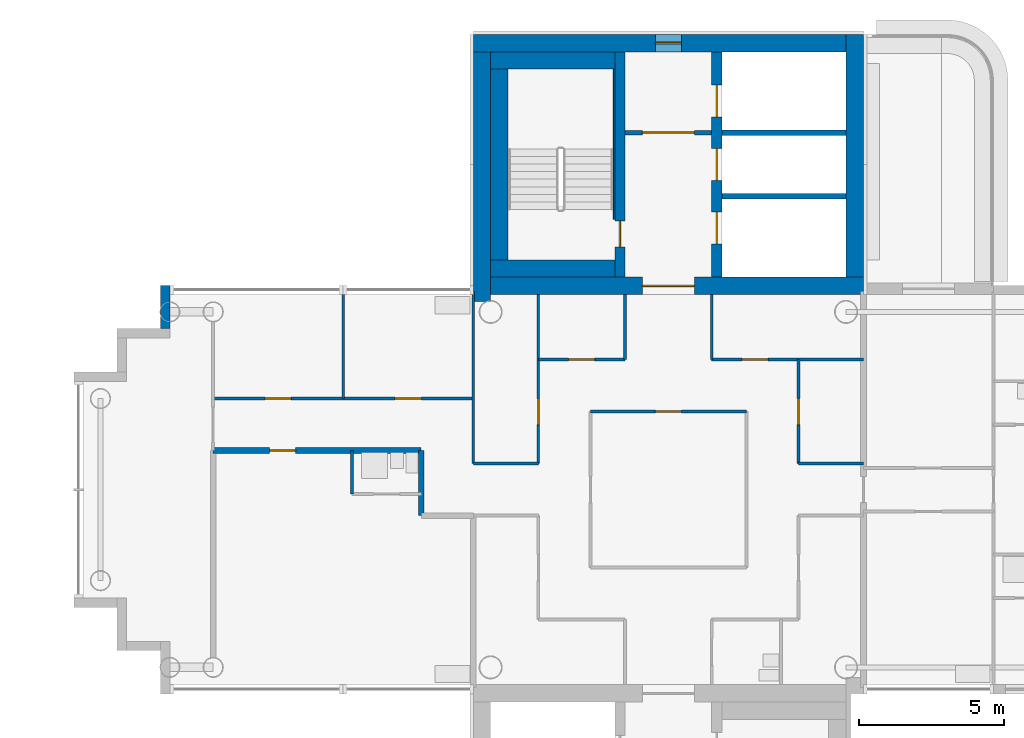
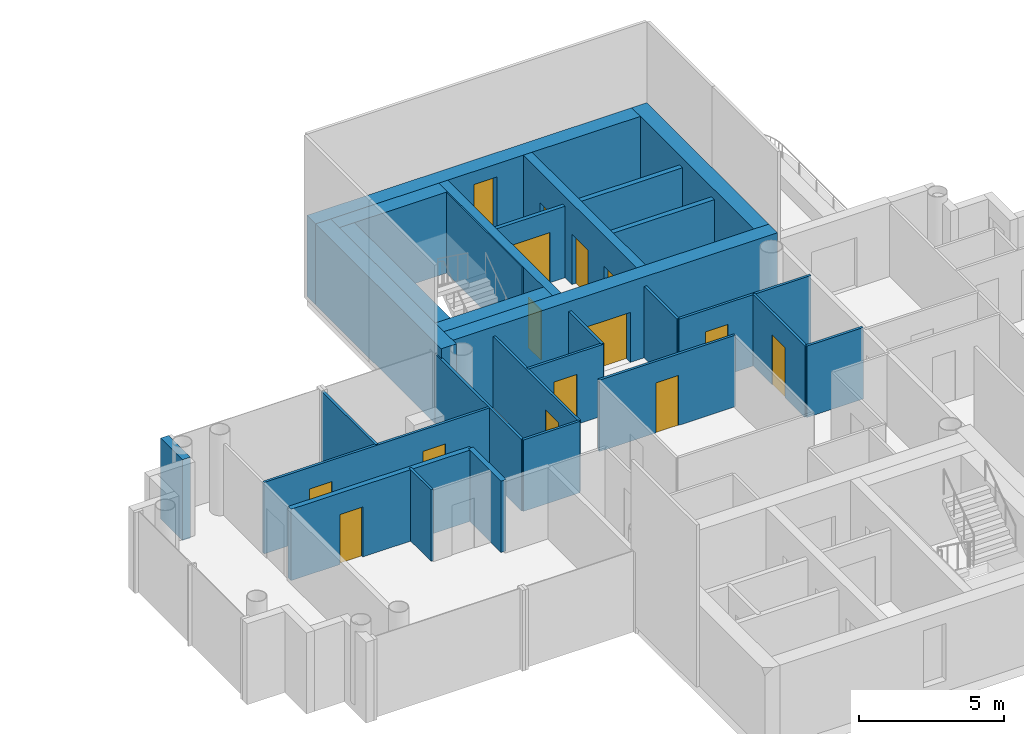
# One storey, part 10 of 18: 29 walls, 14 doors, 1 window, 15 openings.
"""IFC4 building model written with IfcOpenShell, lengths in metres."""

from ifc_helpers import new_model, si_unit, direction, frame, frame_2d, origin, place, context, subcontext, project, spatial, rectangle, extrude, material, layer, layer_set, type_object, element, fill, save


model = new_model("IFC4")

# Units and contexts
model_context = context("Model", 3, precision=1e-05, world=origin(), true_north=direction((0.0, 1.0)))
body_context = subcontext(model_context, "Body", "Model", "MODEL_VIEW")
ifc_project = project(units=[si_unit("LENGTHUNIT", "METRE"), si_unit("AREAUNIT", "SQUARE_METRE"), si_unit("VOLUMEUNIT", "CUBIC_METRE"), si_unit("PLANEANGLEUNIT", "RADIAN"), si_unit("MASSUNIT", "GRAM", prefix="KILO")], contexts=[model_context])

# Site, building, storey
site_placement = place(None, origin())
site = spatial("IfcSite", under=ifc_project, at=site_placement, CompositionType="ELEMENT")
building_placement = place(site_placement, origin())
building = spatial("IfcBuilding", under=site, at=building_placement, Name="Ipe Terrace Towers", CompositionType="ELEMENT")
storey_placement = place(building_placement, frame((0.0, 0.0, 192.60009765625)))
storey = spatial("IfcBuildingStorey", under=building, at=storey_placement, Name="L53", CompositionType="ELEMENT", Elevation=192.60009765625)

# Walls
ifc_material_1 = material(Name="Concrete C40/50 with buff precast cladding", Category="concrete")
ifc_layer_1 = layer(ifc_material_1, 0.320068359375)
ifc_layer_set_1 = layer_set([ifc_layer_1], Name="BUFF CLADDING WALL 320")
wall_type_1 = type_object("IfcWallType", Name="BUFF CLADDING WALL 320", PredefinedType="STANDARD", material=ifc_layer_set_1)
wall_1_placement = place(storey_placement, frame((18.590087890625, 7.070068359375, -0.300048828125), z_axis=(0.0, 0.0, 1.0), x_axis=(0.0, -1.0, 0.0)))
element("IfcWall", 1, at=wall_1_placement, inside=storey, type_object=wall_type_1, Name="T2-W-L53-22a wall", PredefinedType="STANDARD", context=body_context, shape_type="SweptSolid", body=[
    extrude(rectangle(XDim=1.5, YDim=0.320068359375, at=frame_2d((0.75, 0.0))), origin(), (0.0, 0.0, 1.0), 3.39990234375),
])
ifc_material_2 = material(Name="Gypsum board partition", Category="plasterboard")
ifc_layer_2 = layer(ifc_material_2, 0.10009765625)
ifc_layer_set_2 = layer_set([ifc_layer_2], Name="Gypsum board partition 100 mm")
wall_type_2 = type_object("IfcWallType", Name="Gypsum board partition 100 mm", PredefinedType="PARTITIONING", material=ifc_layer_set_2)
for number, where, z_axis, x_axis, name in (
    (2, (42.75, 0.89990234375, 0.0), (0.0, 0.0, 1.0), (-1.0, 0.0, 0.0), "Gypsum board partition T2 L53 W12"),
    (3, (31.5, 0.89990234375, 0.0), (0.0, 0.0, 1.0), (-1.0, 0.0, 0.0), "Gypsum board partition T2 L53 W13"),
):
    element("IfcWall", number, at=place(storey_placement, frame(where, z_axis=z_axis, x_axis=x_axis)), inside=storey, type_object=wall_type_2, Name=name, PredefinedType="PARTITIONING", context=body_context, shape_type="SweptSolid", body=[
        extrude(rectangle(XDim=2.25, YDim=0.10009765625, at=frame_2d((1.125, 0.0))), origin(), (0.0, 0.0, 1.0), 3.0),
    ])

# Wall, opening, door
wall_2_placement = place(storey_placement, frame((38.699951171875, 2.699951171875, 0.0), z_axis=(0.0, 0.0, 1.0), x_axis=(-1.0, 0.0, 0.0)))
wall_2 = element("IfcWall", 4, at=wall_2_placement, inside=storey, type_object=wall_type_2, Name="Gypsum board partition T2 L53 W16", PredefinedType="PARTITIONING", context=body_context, shape_type="SweptSolid", body=[
    extrude(rectangle(XDim=5.39990234375, YDim=0.10009765625, at=frame_2d((2.699951171875, 0.0))), origin(), (0.0, 0.0, 1.0), 3.0),
])
opening_1_placement = place(wall_2_placement, frame((2.25, 0.0, 0.0)))
opening_1 = element("IfcOpeningElement", 5, at=opening_1_placement, cuts=wall_2, Name="Opening T2-Z4C-02", PredefinedType="OPENING", context=body_context, shape_type="SweptSolid", body=[
    extrude(rectangle(XDim=0.89990234375, YDim=2.10009765625, at=frame_2d((0.449951171875, 1.050048828125))), frame((0.0, 0.06005859375, 0.0), z_axis=(0.0, -1.0, 0.0), x_axis=(1.0, 0.0, 0.0)), (0.0, 0.0, 1.0), 0.1201171875),
])
ifc_material_3 = material(Name="Timber door leaf", Category="wood")
door_type_1 = type_object("IfcDoorType", Name="Lounge door 900 x 2100", OperationType="NOTDEFINED", PredefinedType="DOOR", material=ifc_material_3)
door_1_placement = place(opening_1_placement, origin())
door_1 = element("IfcDoor", 6, at=door_1_placement, inside=storey, type_object=door_type_1, Name="Lounge door T2-Z4C-02", OperationType="SINGLE_SWING_LEFT", OverallHeight=2.10009765625, OverallWidth=0.89990234375, PredefinedType="DOOR", context=body_context, shape_type="SweptSolid", body=[
    extrude(rectangle(XDim=0.89990234375, YDim=2.10009765625, at=frame_2d((0.449951171875, 1.050048828125))), frame((0.0, 0.02490234375, 0.0), z_axis=(0.0, -1.0, 0.0), x_axis=(1.0, 0.0, 0.0)), (0.0, 0.0, 1.0), 0.050048828125),
])
fill(opening_1, door_1)

# Wall, openings, doors
wall_3_placement = place(storey_placement, frame((29.25, 3.14990234375, 0.0), z_axis=(0.0, 0.0, 1.0), x_axis=(-1.0, 0.0, 0.0)))
wall_3 = element("IfcWall", 7, at=wall_3_placement, inside=storey, type_object=wall_type_2, Name="Gypsum board partition T2 L53 W17", PredefinedType="PARTITIONING", context=body_context, shape_type="SweptSolid", body=[
    extrude(rectangle(XDim=9.0, YDim=0.10009765625, at=frame_2d((4.5, 0.0))), origin(), (0.0, 0.0, 1.0), 3.0),
])
opening_2_placement = place(wall_3_placement, frame((1.800048828125, 0.0, 0.0)))
opening_2 = element("IfcOpeningElement", 8, at=opening_2_placement, cuts=wall_3, Name="Opening T2-Z4C-12", PredefinedType="OPENING", context=body_context, shape_type="SweptSolid", body=[
    extrude(rectangle(XDim=0.89990234375, YDim=2.10009765625, at=frame_2d((0.449951171875, 1.050048828125))), frame((0.0, 0.06005859375, 0.0), z_axis=(0.0, -1.0, 0.0), x_axis=(1.0, 0.0, 0.0)), (0.0, 0.0, 1.0), 0.1201171875),
])
opening_3_placement = place(wall_3_placement, frame((6.300048828125, 0.0, 0.0)))
opening_3 = element("IfcOpeningElement", 9, at=opening_3_placement, cuts=wall_3, Name="Opening T2-Z4C-13", PredefinedType="OPENING", context=body_context, shape_type="SweptSolid", body=[
    extrude(rectangle(XDim=0.89990234375, YDim=2.10009765625, at=frame_2d((0.449951171875, 1.050048828125))), frame((0.0, 0.06005859375, 0.0), z_axis=(0.0, -1.0, 0.0), x_axis=(1.0, 0.0, 0.0)), (0.0, 0.0, 1.0), 0.1201171875),
])
door_2_placement = place(opening_2_placement, origin())
door_2 = element("IfcDoor", 10, at=door_2_placement, inside=storey, type_object=door_type_1, Name="Lounge door T2-Z4C-12", OperationType="SINGLE_SWING_LEFT", OverallHeight=2.10009765625, OverallWidth=0.89990234375, PredefinedType="DOOR", context=body_context, shape_type="SweptSolid", body=[
    extrude(rectangle(XDim=0.89990234375, YDim=2.10009765625, at=frame_2d((0.449951171875, 1.050048828125))), frame((0.0, 0.02490234375, 0.0), z_axis=(0.0, -1.0, 0.0), x_axis=(1.0, 0.0, 0.0)), (0.0, 0.0, 1.0), 0.050048828125),
])
fill(opening_2, door_2)
door_3_placement = place(opening_3_placement, origin())
door_3 = element("IfcDoor", 11, at=door_3_placement, inside=storey, type_object=door_type_1, Name="Lounge door T2-Z4C-13", OperationType="SINGLE_SWING_RIGHT", OverallHeight=2.10009765625, OverallWidth=0.89990234375, PredefinedType="DOOR", context=body_context, shape_type="SweptSolid", body=[
    extrude(rectangle(XDim=0.89990234375, YDim=2.10009765625, at=frame_2d((0.449951171875, 1.050048828125))), frame((0.0, 0.02490234375, 0.0), z_axis=(0.0, -1.0, 0.0), x_axis=(1.0, 0.0, 0.0)), (0.0, 0.0, 1.0), 0.050048828125),
])
fill(opening_3, door_3)

# Wall, opening, door
wall_4_placement = place(storey_placement, frame((42.75, 4.5, 0.0), z_axis=(0.0, 0.0, 1.0), x_axis=(-1.0, 0.0, 0.0)))
wall_4 = element("IfcWall", 12, at=wall_4_placement, inside=storey, type_object=wall_type_2, Name="Gypsum board partition T2 L53 W19", PredefinedType="PARTITIONING", context=body_context, shape_type="SweptSolid", body=[
    extrude(rectangle(XDim=5.25, YDim=0.10009765625, at=frame_2d((2.625, 0.0))), origin(), (0.0, 0.0, 1.0), 3.0),
])
opening_4_placement = place(wall_4_placement, frame((3.300048828125, 0.0, 0.0)))
opening_4 = element("IfcOpeningElement", 13, at=opening_4_placement, cuts=wall_4, Name="Opening T2-Z4C-09", PredefinedType="OPENING", context=body_context, shape_type="SweptSolid", body=[
    extrude(rectangle(XDim=0.89990234375, YDim=2.10009765625, at=frame_2d((0.449951171875, 1.050048828125))), frame((0.0, 0.06005859375, 0.0), z_axis=(0.0, -1.0, 0.0), x_axis=(1.0, 0.0, 0.0)), (0.0, 0.0, 1.0), 0.1201171875),
])
door_4_placement = place(opening_4_placement, origin())
door_4 = element("IfcDoor", 14, at=door_4_placement, inside=storey, type_object=door_type_1, Name="Lounge door T2-Z4C-09", OperationType="SINGLE_SWING_RIGHT", OverallHeight=2.10009765625, OverallWidth=0.89990234375, PredefinedType="DOOR", context=body_context, shape_type="SweptSolid", body=[
    extrude(rectangle(XDim=0.89990234375, YDim=2.10009765625, at=frame_2d((0.449951171875, 1.050048828125))), frame((0.0, 0.02490234375, 0.0), z_axis=(0.0, -1.0, 0.0), x_axis=(1.0, 0.0, 0.0)), (0.0, 0.0, 1.0), 0.050048828125),
])
fill(opening_4, door_4)

wall_5_placement = place(storey_placement, frame((34.5, 4.5, 0.0), z_axis=(0.0, 0.0, 1.0), x_axis=(-1.0, 0.0, 0.0)))
wall_5 = element("IfcWall", 15, at=wall_5_placement, inside=storey, type_object=wall_type_2, Name="Gypsum board partition T2 L53 W20", PredefinedType="PARTITIONING", context=body_context, shape_type="SweptSolid", body=[
    extrude(rectangle(XDim=3.0, YDim=0.10009765625, at=frame_2d((1.5, 0.0))), origin(), (0.0, 0.0, 1.0), 3.0),
])
opening_5_placement = place(wall_5_placement, frame((1.050048828125, 0.0, 0.0)))
opening_5 = element("IfcOpeningElement", 16, at=opening_5_placement, cuts=wall_5, Name="Opening T2-Z4C-05", PredefinedType="OPENING", context=body_context, shape_type="SweptSolid", body=[
    extrude(rectangle(XDim=0.89990234375, YDim=2.10009765625, at=frame_2d((0.449951171875, 1.050048828125))), frame((0.0, 0.06005859375, 0.0), z_axis=(0.0, -1.0, 0.0), x_axis=(1.0, 0.0, 0.0)), (0.0, 0.0, 1.0), 0.1201171875),
])
door_5_placement = place(opening_5_placement, origin())
door_5 = element("IfcDoor", 17, at=door_5_placement, inside=storey, type_object=door_type_1, Name="Lounge door T2-Z4C-05", OperationType="SINGLE_SWING_RIGHT", OverallHeight=2.10009765625, OverallWidth=0.89990234375, PredefinedType="DOOR", context=body_context, shape_type="SweptSolid", body=[
    extrude(rectangle(XDim=0.89990234375, YDim=2.10009765625, at=frame_2d((0.449951171875, 1.050048828125))), frame((0.0, 0.02490234375, 0.0), z_axis=(0.0, -1.0, 0.0), x_axis=(1.0, 0.0, 0.0)), (0.0, 0.0, 1.0), 0.050048828125),
])
fill(opening_5, door_5)

wall_6_placement = place(storey_placement, frame((40.5, 0.89990234375, 0.0), z_axis=(0.0, 0.0, 1.0), x_axis=(0.0, 1.0, 0.0)))
wall_6 = element("IfcWall", 18, at=wall_6_placement, inside=storey, type_object=wall_type_2, Name="Gypsum board partition T2 L53 W26", PredefinedType="PARTITIONING", context=body_context, shape_type="SweptSolid", body=[
    extrude(rectangle(XDim=3.60009765625, YDim=0.10009765625, at=frame_2d((1.800048828125, 0.0))), origin(), (0.0, 0.0, 1.0), 3.0),
])
opening_6_placement = place(wall_6_placement, frame((1.35009765625, 0.0, 0.0)))
opening_6 = element("IfcOpeningElement", 19, at=opening_6_placement, cuts=wall_6, Name="Opening T2-Z4C-08", PredefinedType="OPENING", context=body_context, shape_type="SweptSolid", body=[
    extrude(rectangle(XDim=0.89990234375, YDim=2.10009765625, at=frame_2d((0.449951171875, 1.050048828125))), frame((0.0, 0.06005859375, 0.0), z_axis=(0.0, -1.0, 0.0), x_axis=(1.0, 0.0, 0.0)), (0.0, 0.0, 1.0), 0.1201171875),
])
door_6_placement = place(opening_6_placement, origin())
door_6 = element("IfcDoor", 20, at=door_6_placement, inside=storey, type_object=door_type_1, Name="Lounge door T2-Z4C-08", OperationType="SINGLE_SWING_RIGHT", OverallHeight=2.10009765625, OverallWidth=0.89990234375, PredefinedType="DOOR", context=body_context, shape_type="SweptSolid", body=[
    extrude(rectangle(XDim=0.89990234375, YDim=2.10009765625, at=frame_2d((0.449951171875, 1.050048828125))), frame((0.0, 0.02490234375, 0.0), z_axis=(0.0, -1.0, 0.0), x_axis=(1.0, 0.0, 0.0)), (0.0, 0.0, 1.0), 0.050048828125),
])
fill(opening_6, door_6)

# Walls
for number, where, z_axis, x_axis, name in (
    (21, (37.5, 4.5, 0.0), (0.0, 0.0, 1.0), (0.0, 1.0, 0.0), "Gypsum board partition T2 L53 W30"),
    (22, (34.5, 4.5, 0.0), (0.0, 0.0, 1.0), (0.0, 1.0, 0.0), "Gypsum board partition T2 L53 W32"),
):
    element("IfcWall", number, at=place(storey_placement, frame(where, z_axis=z_axis, x_axis=x_axis)), inside=storey, type_object=wall_type_2, Name=name, PredefinedType="PARTITIONING", context=body_context, shape_type="SweptSolid", body=[
        extrude(rectangle(XDim=2.25, YDim=0.10009765625, at=frame_2d((1.125, 0.0))), origin(), (0.0, 0.0, 1.0), 3.0),
    ])

# Wall, opening, door
wall_7_placement = place(storey_placement, frame((31.5, 0.89990234375, 0.0), z_axis=(0.0, 0.0, 1.0), x_axis=(0.0, 1.0, 0.0)))
wall_7 = element("IfcWall", 23, at=wall_7_placement, inside=storey, type_object=wall_type_2, Name="Gypsum board partition T2 L53 W35", PredefinedType="PARTITIONING", context=body_context, shape_type="SweptSolid", body=[
    extrude(rectangle(XDim=5.85009765625, YDim=0.10009765625, at=frame_2d((2.925048828125, 0.0))), origin(), (0.0, 0.0, 1.0), 3.0),
])
opening_7_placement = place(wall_7_placement, frame((1.35009765625, 0.0, 0.0)))
opening_7 = element("IfcOpeningElement", 24, at=opening_7_placement, cuts=wall_7, Name="Opening T2-Z4C-04", PredefinedType="OPENING", context=body_context, shape_type="SweptSolid", body=[
    extrude(rectangle(XDim=0.89990234375, YDim=2.10009765625, at=frame_2d((0.449951171875, 1.050048828125))), frame((0.0, 0.06005859375, 0.0), z_axis=(0.0, -1.0, 0.0), x_axis=(1.0, 0.0, 0.0)), (0.0, 0.0, 1.0), 0.1201171875),
])
door_7_placement = place(opening_7_placement, origin())
door_7 = element("IfcDoor", 25, at=door_7_placement, inside=storey, type_object=door_type_1, Name="Lounge door T2-Z4C-04", OperationType="SINGLE_SWING_RIGHT", OverallHeight=2.10009765625, OverallWidth=0.89990234375, PredefinedType="DOOR", context=body_context, shape_type="SweptSolid", body=[
    extrude(rectangle(XDim=0.89990234375, YDim=2.10009765625, at=frame_2d((0.449951171875, 1.050048828125))), frame((0.0, 0.02490234375, 0.0), z_axis=(0.0, -1.0, 0.0), x_axis=(1.0, 0.0, 0.0)), (0.0, 0.0, 1.0), 0.050048828125),
])
fill(opening_7, door_7)

# Walls
wall_8_placement = place(storey_placement, frame((29.25, 0.89990234375, 0.0), z_axis=(0.0, 0.0, 1.0), x_axis=(0.0, 1.0, 0.0)))
element("IfcWall", 26, at=wall_8_placement, inside=storey, type_object=wall_type_2, Name="Gypsum board partition T2 L53 W36", PredefinedType="PARTITIONING", context=body_context, shape_type="SweptSolid", body=[
    extrude(rectangle(XDim=5.9501953125, YDim=0.10009765625, at=frame_2d((2.97509765625, 0.0))), origin(), (0.0, 0.0, 1.0), 3.0),
])
wall_9_placement = place(storey_placement, frame((25.050048828125, -0.14990234375, 0.0), z_axis=(0.0, 0.0, 1.0), x_axis=(0.0, 1.0, 0.0)))
element("IfcWall", 27, at=wall_9_placement, inside=storey, type_object=wall_type_2, Name="Gypsum board partition T2 L53 W39", PredefinedType="PARTITIONING", context=body_context, shape_type="SweptSolid", body=[
    extrude(rectangle(XDim=1.5, YDim=0.10009765625, at=frame_2d((0.75, 0.0))), origin(), (0.0, 0.0, 1.0), 3.0),
])
wall_10_placement = place(storey_placement, frame((24.75, 3.14990234375, 0.0), z_axis=(0.0, 0.0, 1.0), x_axis=(0.0, 1.0, 0.0)))
element("IfcWall", 28, at=wall_10_placement, inside=storey, type_object=wall_type_2, Name="Gypsum board partition T2 L53 W40", PredefinedType="PARTITIONING", context=body_context, shape_type="SweptSolid", body=[
    extrude(rectangle(XDim=3.7001953125, YDim=0.10009765625, at=frame_2d((1.85009765625, 0.0))), origin(), (0.0, 0.0, 1.0), 3.0),
])

# Wall, opening, door
ifc_material_4 = material(Name="Gypsum board partition", Category="plasterboard")
ifc_layer_3 = layer(ifc_material_4, 0.14990234375)
ifc_layer_set_3 = layer_set([ifc_layer_3], Name="Gypsum board partition 150 mm")
wall_type_3 = type_object("IfcWallType", Name="Gypsum board partition 150 mm", PredefinedType="PARTITIONING", material=ifc_layer_set_3)
wall_11_placement = place(storey_placement, frame((37.5, 12.35009765625, 0.0), z_axis=(0.0, 0.0, 1.0), x_axis=(-1.0, 0.0, 0.0)))
wall_11 = element("IfcWall", 29, at=wall_11_placement, inside=storey, type_object=wall_type_3, Name="Gypsum board partition T2 L53 t2c1-lobby-wall", PredefinedType="PARTITIONING", context=body_context, shape_type="SweptSolid", body=[
    extrude(rectangle(XDim=3.0, YDim=0.14990234375, at=frame_2d((1.5, 0.0))), origin(), (0.0, 0.0, 1.0), 3.0),
])
opening_8_placement = place(wall_11_placement, frame((0.60009765625, 0.0, 0.0)))
opening_8 = element("IfcOpeningElement", 30, at=opening_8_placement, cuts=wall_11, Name="Opening T2C1-VD", PredefinedType="OPENING", context=body_context, shape_type="SweptSolid", body=[
    extrude(rectangle(XDim=1.800048828125, YDim=2.10009765625, at=frame_2d((0.89990234375, 1.050048828125))), frame((0.0, 0.0849609375, 0.0), z_axis=(0.0, -1.0, 0.0), x_axis=(1.0, 0.0, 0.0)), (0.0, 0.0, 1.0), 0.169921875),
])
ifc_material_5 = material(Name="Fire-rated timber door leaf", Category="wood")
door_type_2 = type_object("IfcDoorType", Name="Lobby door 1800 x 2100 FD60", OperationType="NOTDEFINED", PredefinedType="DOOR", material=ifc_material_5)
door_8_placement = place(opening_8_placement, origin())
door_8 = element("IfcDoor", 31, at=door_8_placement, inside=storey, type_object=door_type_2, Name="Lobby door T2C1-VD", OperationType="SINGLE_SWING_LEFT", OverallHeight=2.10009765625, OverallWidth=1.800048828125, PredefinedType="DOOR", context=body_context, shape_type="SweptSolid", body=[
    extrude(rectangle(XDim=1.800048828125, YDim=2.10009765625, at=frame_2d((0.89990234375, 1.050048828125))), frame((0.0, 0.02490234375, 0.0), z_axis=(0.0, -1.0, 0.0), x_axis=(1.0, 0.0, 0.0)), (0.0, 0.0, 1.0), 0.050048828125),
])
fill(opening_8, door_8)

# Walls
ifc_material_6 = material(Name="Gypsum board party wall", Category="plasterboard")
ifc_layer_4 = layer(ifc_material_6, 0.199951171875)
ifc_layer_set_4 = layer_set([ifc_layer_4], Name="Gypsum board party wall 200 mm")
wall_type_4 = type_object("IfcWallType", Name="Gypsum board party wall 200 mm", PredefinedType="SOLIDWALL", material=ifc_layer_set_4)
for number, where, z_axis, x_axis, name in (
    (32, (42.14990234375, 10.14990234375, 0.0), (0.0, 0.0, 1.0), (-1.0, 0.0, 0.0), "Gypsum board party wall T2 L53 t2c1-shaft-div1"),
    (33, (42.14990234375, 12.35009765625, 0.0), (0.0, 0.0, 1.0), (-1.0, 0.0, 0.0), "Gypsum board party wall T2 L53 t2c1-shaft-div2"),
):
    element("IfcWall", number, at=place(storey_placement, frame(where, z_axis=z_axis, x_axis=x_axis)), inside=storey, type_object=wall_type_4, Name=name, PredefinedType="SOLIDWALL", context=body_context, shape_type="SweptSolid", body=[
        extrude(rectangle(XDim=4.2998046875, YDim=0.199951171875, at=frame_2d((2.14990234375, 0.0))), origin(), (0.0, 0.0, 1.0), 3.0),
    ])

# Wall, opening, door
wall_12_placement = place(storey_placement, frame((27.449951171875, 1.35009765625, 0.0), z_axis=(0.0, 0.0, 1.0), x_axis=(-1.0, 0.0, 0.0)))
wall_12 = element("IfcWall", 34, at=wall_12_placement, inside=storey, type_object=wall_type_4, Name="Gypsum board party wall T2 L53 W14", PredefinedType="SOLIDWALL", context=body_context, shape_type="SweptSolid", body=[
    extrude(rectangle(XDim=7.199951171875, YDim=0.199951171875, at=frame_2d((3.60009765625, 0.0))), origin(), (0.0, 0.0, 1.0), 3.0),
])
opening_9_placement = place(wall_12_placement, frame((4.35009765625, 0.0, 0.0)))
opening_9 = element("IfcOpeningElement", 35, at=opening_9_placement, cuts=wall_12, Name="Opening T2-Z4C-10", PredefinedType="OPENING", context=body_context, shape_type="SweptSolid", body=[
    extrude(rectangle(XDim=0.89990234375, YDim=2.10009765625, at=frame_2d((0.449951171875, 1.050048828125))), frame((0.0, 0.10986328125, 0.0), z_axis=(0.0, -1.0, 0.0), x_axis=(1.0, 0.0, 0.0)), (0.0, 0.0, 1.0), 0.219970703125),
])
ifc_material_7 = material(Name="Fire-rated timber door leaf", Category="wood")
door_type_3 = type_object("IfcDoorType", Name="Flat entrance door 900 x 2100 FD30S", OperationType="NOTDEFINED", PredefinedType="DOOR", material=ifc_material_7)
door_9_placement = place(opening_9_placement, origin())
door_9 = element("IfcDoor", 36, at=door_9_placement, inside=storey, type_object=door_type_3, Name="Flat entrance door T2-Z4C-10", OperationType="SINGLE_SWING_LEFT", OverallHeight=2.10009765625, OverallWidth=0.89990234375, PredefinedType="DOOR", context=body_context, shape_type="SweptSolid", body=[
    extrude(rectangle(XDim=0.89990234375, YDim=2.10009765625, at=frame_2d((0.449951171875, 1.050048828125))), frame((0.0, 0.02490234375, 0.0), z_axis=(0.0, -1.0, 0.0), x_axis=(1.0, 0.0, 0.0)), (0.0, 0.0, 1.0), 0.050048828125),
])
fill(opening_9, door_9)

# Wall
wall_13_placement = place(storey_placement, frame((27.449951171875, -0.89990234375, 0.0), z_axis=(0.0, 0.0, 1.0), x_axis=(0.0, 1.0, 0.0)))
element("IfcWall", 37, at=wall_13_placement, inside=storey, type_object=wall_type_4, Name="Gypsum board party wall T2 L53 W38", PredefinedType="SOLIDWALL", context=body_context, shape_type="SweptSolid", body=[
    extrude(rectangle(XDim=2.25, YDim=0.199951171875, at=frame_2d((1.125, 0.0))), origin(), (0.0, 0.0, 1.0), 3.0),
])

# Wall, opening, door
ifc_material_8 = material(Name="Concrete C40/50", Category="concrete")
ifc_layer_5 = layer(ifc_material_8, 0.35009765625)
ifc_layer_set_5 = layer_set([ifc_layer_5], Name="RW350 CORE SPINE WALL 350 C40-50")
wall_type_5 = type_object("IfcWallType", Name="RW350 CORE SPINE WALL 350 C40-50", PredefinedType="SHEAR", material=ifc_layer_set_5)
wall_14_placement = place(storey_placement, frame((34.324951171875, 7.35009765625, 0.0), z_axis=(0.0, 0.0, 1.0), x_axis=(0.0, 1.0, 0.0)))
wall_14 = element("IfcWall", 38, at=wall_14_placement, inside=storey, type_object=wall_type_5, Name="Core spine wall T2-C1-Z4-SW1", PredefinedType="SHEAR", context=body_context, shape_type="SweptSolid", body=[
    extrude(rectangle(XDim=7.7998046875, YDim=0.35009765625, at=frame_2d((3.89990234375, 0.0))), origin(), (0.0, 0.0, 1.0), 3.39990234375),
])
opening_10_placement = place(wall_14_placement, frame((1.050048828125, 0.0, 0.0)))
opening_10 = element("IfcOpeningElement", 39, at=opening_10_placement, cuts=wall_14, Name="Opening T2C1-SD", PredefinedType="OPENING", context=body_context, shape_type="SweptSolid", body=[
    extrude(rectangle(XDim=0.89990234375, YDim=2.10009765625, at=frame_2d((0.449951171875, 1.050048828125))), frame((0.0, 0.18505859375, 0.0), z_axis=(0.0, -1.0, 0.0), x_axis=(1.0, 0.0, 0.0)), (0.0, 0.0, 1.0), 0.3701171875),
])
ifc_material_9 = material(Name="Fire-rated timber door leaf", Category="wood")
door_type_4 = type_object("IfcDoorType", Name="Stair door 900 x 2100 FD60", OperationType="NOTDEFINED", PredefinedType="DOOR", material=ifc_material_9)
door_10_placement = place(opening_10_placement, origin())
door_10 = element("IfcDoor", 40, at=door_10_placement, inside=storey, type_object=door_type_4, Name="Stair door T2C1-SD", OperationType="SINGLE_SWING_LEFT", OverallHeight=2.10009765625, OverallWidth=0.89990234375, PredefinedType="DOOR", context=body_context, shape_type="SweptSolid", body=[
    extrude(rectangle(XDim=0.89990234375, YDim=2.10009765625, at=frame_2d((0.449951171875, 1.050048828125))), frame((0.0, 0.02490234375, 0.0), z_axis=(0.0, -1.0, 0.0), x_axis=(1.0, 0.0, 0.0)), (0.0, 0.0, 1.0), 0.050048828125),
])
fill(opening_10, door_10)

# Wall, openings, doors
wall_15_placement = place(storey_placement, frame((37.675048828125, 7.35009765625, 0.0), z_axis=(0.0, 0.0, 1.0), x_axis=(0.0, 1.0, 0.0)))
wall_15 = element("IfcWall", 41, at=wall_15_placement, inside=storey, type_object=wall_type_5, Name="Core spine wall T2-C1-Z4-SW2", PredefinedType="SHEAR", context=body_context, shape_type="SweptSolid", body=[
    extrude(rectangle(XDim=7.7998046875, YDim=0.35009765625, at=frame_2d((3.89990234375, 0.0))), origin(), (0.0, 0.0, 1.0), 3.39990234375),
])
opening_11_placement = place(wall_15_placement, frame((1.14990234375, 0.0, 0.0)))
opening_11 = element("IfcOpeningElement", 42, at=opening_11_placement, cuts=wall_15, Name="Opening T2C1-LD1", PredefinedType="OPENING", context=body_context, shape_type="SweptSolid", body=[
    extrude(rectangle(XDim=1.10009765625, YDim=2.10009765625, at=frame_2d((0.550048828125, 1.050048828125))), frame((0.0, 0.18505859375, 0.0), z_axis=(0.0, -1.0, 0.0), x_axis=(1.0, 0.0, 0.0)), (0.0, 0.0, 1.0), 0.3701171875),
])
opening_12_placement = place(wall_15_placement, frame((3.35009765625, 0.0, 0.0)))
opening_12 = element("IfcOpeningElement", 43, at=opening_12_placement, cuts=wall_15, Name="Opening T2C1-LD2", PredefinedType="OPENING", context=body_context, shape_type="SweptSolid", body=[
    extrude(rectangle(XDim=1.10009765625, YDim=2.10009765625, at=frame_2d((0.550048828125, 1.050048828125))), frame((0.0, 0.18505859375, 0.0), z_axis=(0.0, -1.0, 0.0), x_axis=(1.0, 0.0, 0.0)), (0.0, 0.0, 1.0), 0.3701171875),
])
opening_13_placement = place(wall_15_placement, frame((5.550048828125, 0.0, 0.0)))
opening_13 = element("IfcOpeningElement", 44, at=opening_13_placement, cuts=wall_15, Name="Opening T2C1-LD3", PredefinedType="OPENING", context=body_context, shape_type="SweptSolid", body=[
    extrude(rectangle(XDim=1.10009765625, YDim=2.10009765625, at=frame_2d((0.550048828125, 1.050048828125))), frame((0.0, 0.18505859375, 0.0), z_axis=(0.0, -1.0, 0.0), x_axis=(1.0, 0.0, 0.0)), (0.0, 0.0, 1.0), 0.3701171875),
])
ifc_material_10 = material(Name="Fire-rated timber door leaf", Category="wood")
door_type_5 = type_object("IfcDoorType", Name="Sliding door 1100 x 2100 FD60", OperationType="SLIDING_TO_LEFT", PredefinedType="DOOR", material=ifc_material_10)
door_11_placement = place(opening_11_placement, origin())
door_11 = element("IfcDoor", 45, at=door_11_placement, inside=storey, type_object=door_type_5, Name="Sliding door T2C1-LD1", OperationType="SLIDING_TO_LEFT", OverallHeight=2.10009765625, OverallWidth=1.10009765625, PredefinedType="DOOR", context=body_context, shape_type="SweptSolid", body=[
    extrude(rectangle(XDim=1.10009765625, YDim=2.10009765625, at=frame_2d((0.550048828125, 1.050048828125))), frame((0.0, 0.02490234375, 0.0), z_axis=(0.0, -1.0, 0.0), x_axis=(1.0, 0.0, 0.0)), (0.0, 0.0, 1.0), 0.050048828125),
])
fill(opening_11, door_11)
door_12_placement = place(opening_12_placement, origin())
door_12 = element("IfcDoor", 46, at=door_12_placement, inside=storey, type_object=door_type_5, Name="Sliding door T2C1-LD2", OperationType="SLIDING_TO_LEFT", OverallHeight=2.10009765625, OverallWidth=1.10009765625, PredefinedType="DOOR", context=body_context, shape_type="SweptSolid", body=[
    extrude(rectangle(XDim=1.10009765625, YDim=2.10009765625, at=frame_2d((0.550048828125, 1.050048828125))), frame((0.0, 0.02490234375, 0.0), z_axis=(0.0, -1.0, 0.0), x_axis=(1.0, 0.0, 0.0)), (0.0, 0.0, 1.0), 0.050048828125),
])
fill(opening_12, door_12)
door_13_placement = place(opening_13_placement, origin())
door_13 = element("IfcDoor", 47, at=door_13_placement, inside=storey, type_object=door_type_5, Name="Sliding door T2C1-LD3", OperationType="SLIDING_TO_LEFT", OverallHeight=2.10009765625, OverallWidth=1.10009765625, PredefinedType="DOOR", context=body_context, shape_type="SweptSolid", body=[
    extrude(rectangle(XDim=1.10009765625, YDim=2.10009765625, at=frame_2d((0.550048828125, 1.050048828125))), frame((0.0, 0.02490234375, 0.0), z_axis=(0.0, -1.0, 0.0), x_axis=(1.0, 0.0, 0.0)), (0.0, 0.0, 1.0), 0.050048828125),
])
fill(opening_13, door_13)

# Walls
ifc_material_11 = material(Name="Concrete C40/50", Category="concrete")
ifc_layer_6 = layer(ifc_material_11, 0.050048828125)
ifc_layer_set_6 = layer_set([ifc_layer_6], Name="RW50 CORE INFILL WALL 50 C40-50")
wall_type_6 = type_object("IfcWallType", Name="RW50 CORE INFILL WALL 50 C40-50", PredefinedType="SHEAR", material=ifc_layer_set_6)
wall_16_placement = place(storey_placement, frame((34.125, 9.35009765625, 0.0), z_axis=(0.0, 0.0, 1.0), x_axis=(0.0, 1.0, 0.0)))
element("IfcWall", 48, at=wall_16_placement, inside=storey, type_object=wall_type_6, Name="Core infill wall T2-C1-spine-b", PredefinedType="SHEAR", context=body_context, shape_type="SweptSolid", body=[
    extrude(rectangle(XDim=5.199951171875, YDim=0.050048828125, at=frame_2d((2.60009765625, 0.0))), origin(), (0.0, 0.0, 1.0), 3.39990234375),
])
ifc_material_12 = material(Name="Concrete C40/50", Category="concrete")
ifc_layer_7 = layer(ifc_material_12, 0.60009765625)
ifc_layer_set_7 = layer_set([ifc_layer_7], Name="RW600 CORE INFILL WALL 600 C40-50")
wall_type_7 = type_object("IfcWallType", Name="RW600 CORE INFILL WALL 600 C40-50", PredefinedType="SHEAR", material=ifc_layer_set_7)
wall_17_placement = place(storey_placement, frame((34.14990234375, 14.85009765625, 0.0), z_axis=(0.0, 0.0, 1.0), x_axis=(-1.0, 0.0, 0.0)))
element("IfcWall", 49, at=wall_17_placement, inside=storey, type_object=wall_type_7, Name="Core infill wall T2-C1-far", PredefinedType="SHEAR", context=body_context, shape_type="SweptSolid", body=[
    extrude(rectangle(XDim=4.2998046875, YDim=0.60009765625, at=frame_2d((2.14990234375, 0.0))), origin(), (0.0, 0.0, 1.0), 3.39990234375),
])
wall_18_placement = place(storey_placement, frame((30.14990234375, 7.949951171875, 0.0), z_axis=(0.0, 0.0, 1.0), x_axis=(0.0, 1.0, 0.0)))
element("IfcWall", 50, at=wall_18_placement, inside=storey, type_object=wall_type_7, Name="Core infill wall T2-C1-back", PredefinedType="SHEAR", context=body_context, shape_type="SweptSolid", body=[
    extrude(rectangle(XDim=6.60009765625, YDim=0.60009765625, at=frame_2d((3.300048828125, 0.0))), origin(), (0.0, 0.0, 1.0), 3.39990234375),
])
wall_19_placement = place(storey_placement, frame((34.14990234375, 7.64990234375, 0.0), z_axis=(0.0, 0.0, 1.0), x_axis=(-1.0, 0.0, 0.0)))
element("IfcWall", 51, at=wall_19_placement, inside=storey, type_object=wall_type_7, Name="Core infill wall T2-C1-near", PredefinedType="SHEAR", context=body_context, shape_type="SweptSolid", body=[
    extrude(rectangle(XDim=4.2998046875, YDim=0.60009765625, at=frame_2d((2.14990234375, 0.0))), origin(), (0.0, 0.0, 1.0), 3.39990234375),
])

# Wall, opening, door
ifc_material_13 = material(Name="Concrete C40/50", Category="concrete")
ifc_layer_8 = layer(ifc_material_13, 0.60009765625)
ifc_layer_set_8 = layer_set([ifc_layer_8], Name="RW600 CORE WALL 600 C40-50")
wall_type_8 = type_object("IfcWallType", Name="RW600 CORE WALL 600 C40-50", PredefinedType="SHEAR", material=ifc_layer_set_8)
wall_20_placement = place(storey_placement, frame((29.85009765625, 7.050048828125, 0.0), z_axis=(0.0, 0.0, 1.0), x_axis=(1.0, 0.0, 0.0)))
wall_20 = element("IfcWall", 52, at=wall_20_placement, inside=storey, type_object=wall_type_8, Name="Core wall T2-C1-Z4-W01", PredefinedType="SHEAR", context=body_context, shape_type="SweptSolid", body=[
    extrude(rectangle(XDim=12.89990234375, YDim=0.60009765625, at=frame_2d((6.449951171875, 0.0))), origin(), (0.0, 0.0, 1.0), 3.39990234375),
])
opening_14_placement = place(wall_20_placement, frame((5.25, 0.0, 0.0)))
opening_14 = element("IfcOpeningElement", 53, at=opening_14_placement, cuts=wall_20, Name="Opening T2C1-ND", PredefinedType="OPENING", context=body_context, shape_type="SweptSolid", body=[
    extrude(rectangle(XDim=1.800048828125, YDim=2.10009765625, at=frame_2d((0.89990234375, 1.050048828125))), frame((0.0, 0.31005859375, 0.0), z_axis=(0.0, -1.0, 0.0), x_axis=(1.0, 0.0, 0.0)), (0.0, 0.0, 1.0), 0.6201171875),
])
ifc_material_14 = material(Name="Fire-rated timber door leaf", Category="wood")
door_type_6 = type_object("IfcDoorType", Name="Fire door 1800 x 2100 FD30S", OperationType="NOTDEFINED", PredefinedType="DOOR", material=ifc_material_14)
door_14_placement = place(opening_14_placement, origin())
door_14 = element("IfcDoor", 54, at=door_14_placement, inside=storey, type_object=door_type_6, Name="Fire door T2C1-ND", OperationType="SINGLE_SWING_LEFT", OverallHeight=2.10009765625, OverallWidth=1.800048828125, PredefinedType="DOOR", context=body_context, shape_type="SweptSolid", body=[
    extrude(rectangle(XDim=1.800048828125, YDim=2.10009765625, at=frame_2d((0.89990234375, 1.050048828125))), frame((0.0, 0.02490234375, 0.0), z_axis=(0.0, -1.0, 0.0), x_axis=(1.0, 0.0, 0.0)), (0.0, 0.0, 1.0), 0.050048828125),
])
fill(opening_14, door_14)

# Wall
wall_21_placement = place(storey_placement, frame((42.449951171875, 7.35009765625, 0.0), z_axis=(0.0, 0.0, 1.0), x_axis=(0.0, 1.0, 0.0)))
element("IfcWall", 55, at=wall_21_placement, inside=storey, type_object=wall_type_8, Name="Core wall T2-C1-Z4-W02", PredefinedType="SHEAR", context=body_context, shape_type="SweptSolid", body=[
    extrude(rectangle(XDim=8.39990234375, YDim=0.60009765625, at=frame_2d((4.199951171875, 0.0))), origin(), (0.0, 0.0, 1.0), 3.39990234375),
])

# Wall, opening, window
wall_22_placement = place(storey_placement, frame((42.14990234375, 15.449951171875, 0.0), z_axis=(0.0, 0.0, 1.0), x_axis=(-1.0, 0.0, 0.0)))
wall_22 = element("IfcWall", 56, at=wall_22_placement, inside=storey, type_object=wall_type_8, Name="Core wall T2-C1-Z4-W03", PredefinedType="SHEAR", context=body_context, shape_type="SweptSolid", body=[
    extrude(rectangle(XDim=12.89990234375, YDim=0.60009765625, at=frame_2d((6.449951171875, 0.0))), origin(), (0.0, 0.0, 1.0), 3.39990234375),
])
opening_15_placement = place(wall_22_placement, frame((5.699951171875, 0.0, 0.449951171875)))
opening_15 = element("IfcOpeningElement", 57, at=opening_15_placement, cuts=wall_22, Name="Opening T2-C1-W-01-L53", PredefinedType="OPENING", context=body_context, shape_type="SweptSolid", body=[
    extrude(rectangle(XDim=0.89990234375, YDim=2.39990234375, at=frame_2d((0.449951171875, 1.199951171875))), frame((0.0, 0.31005859375, 0.0), z_axis=(0.0, -1.0, 0.0), x_axis=(1.0, 0.0, 0.0)), (0.0, 0.0, 1.0), 0.6201171875),
])
ifc_material_15 = material(Name="Fire-resistant glazing EI 60", Category="glass")
window_type = type_object("IfcWindowType", Name="CORRIDOR END SLOT WINDOW 900 x 2400 EI 60", PartitioningType="SINGLE_PANEL", PredefinedType="WINDOW", material=ifc_material_15)
window_placement = place(opening_15_placement, origin())
window = element("IfcWindow", 58, at=window_placement, inside=storey, type_object=window_type, Name="W-01 window", OverallHeight=2.39990234375, OverallWidth=0.89990234375, PartitioningType="SINGLE_PANEL", PredefinedType="WINDOW", context=body_context, shape_type="SweptSolid", body=[
    extrude(rectangle(XDim=0.89990234375, YDim=2.39990234375, at=frame_2d((0.449951171875, 1.199951171875))), frame((0.0, 0.030029296875, 0.0), z_axis=(0.0, -1.0, 0.0), x_axis=(1.0, 0.0, 0.0)), (0.0, 0.0, 1.0), 0.06005859375),
])
fill(opening_15, window)

# Wall
wall_23_placement = place(storey_placement, frame((29.550048828125, 15.14990234375, 0.0), z_axis=(0.0, 0.0, 1.0), x_axis=(0.0, -1.0, 0.0)))
element("IfcWall", 59, at=wall_23_placement, inside=storey, type_object=wall_type_8, Name="Core wall T2-C1-Z4-W04", PredefinedType="SHEAR", context=body_context, shape_type="SweptSolid", body=[
    extrude(rectangle(XDim=8.64794921875, YDim=0.60009765625, at=frame_2d((4.323974609375, 0.0))), origin(), (0.0, 0.0, 1.0), 3.39990234375),
])

save(model, "model.ifc")
